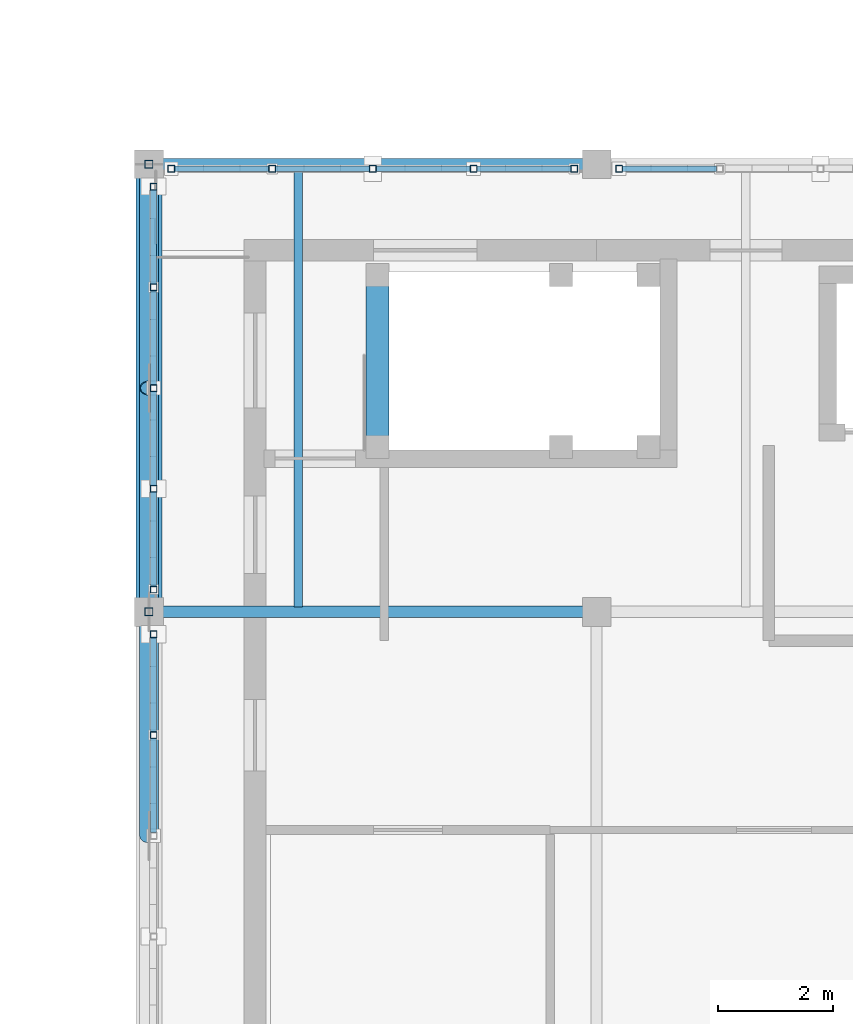
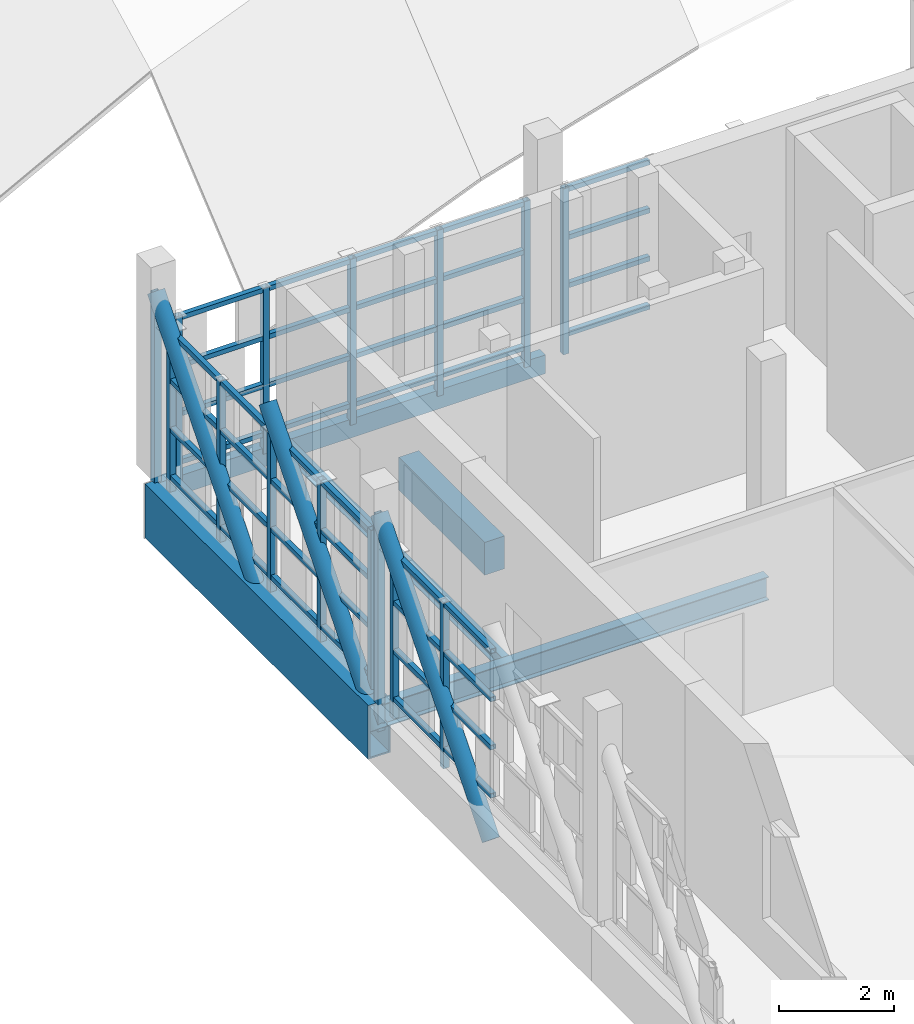
# One storey, part 21 of 89: 62 members, 5 beams.
"""IFC4 building model written with IfcOpenShell, lengths in metres."""

import ifcopenshell
import ifcopenshell.guid

model = None  # the IFC model being written
_history = None  # IfcOwnerHistory: only IFC2X3 demands one
_inside = {}  # id of a spatial element -> (the spatial element, [elements in it])
_under = {}  # id of a project, library or spatial element -> (it, [spatial elements below it])
_declared = {}  # id of a project -> (the project, [libraries it declares])
_typed = {}  # id of a type object -> (the type object, [elements of that type])
_made_of = {}  # id of a material, layer set ... -> (it, [elements and type objects made of it])


def new_model(schema):
    """Start an empty IFC model of exactly this schema.

    Asked for "IFC4X3", IfcOpenShell would pick the latest addendum, in which some entities
    have other attributes; the version numbers below select the first issue.
    IFC2X3 requires an IfcOwnerHistory on every rooted entity: one is made here for all.
    """
    global model, _history
    if schema == "IFC4X3":
        model = ifcopenshell.file(schema_version=(4, 3, 0, 0))
    else:
        model = ifcopenshell.file(schema=schema)
    _inside.clear()
    _under.clear()
    _declared.clear()
    _typed.clear()
    _made_of.clear()
    _history = None
    if model.schema == "IFC2X3":
        org = make("IfcOrganization", Name="unknown")
        user = make(
            "IfcPersonAndOrganization",
            ThePerson=make("IfcPerson", FamilyName="unknown"),
            TheOrganization=org,
        )
        app = make(
            "IfcApplication",
            ApplicationDeveloper=org,
            Version="unknown",
            ApplicationFullName="unknown",
            ApplicationIdentifier="unknown",
        )
        _history = make(
            "IfcOwnerHistory",
            OwningUser=user,
            OwningApplication=app,
            ChangeAction="ADDED",
            CreationDate=0,
        )
    return model


def make(cls, **values):
    """One entity of the class cls with the attributes given. An attribute that is None is left unset."""
    return model.create_entity(
        cls, **{name: value for name, value in values.items() if value is not None}
    )


def rooted(cls, **values):
    """An entity with a GlobalId (a new one), such as an element, a storey or a relation."""
    return make(cls, GlobalId=ifcopenshell.guid.new(), OwnerHistory=_history, **values)


def si_unit(unit_type, name, prefix=None):
    """IfcSIUnit, for example si_unit("LENGTHUNIT", "METRE", prefix="MILLI")."""
    return make("IfcSIUnit", UnitType=unit_type, Prefix=prefix, Name=name)


def assignment(units):
    """IfcUnitAssignment: the units of a project."""
    return None if units is None else make("IfcUnitAssignment", Units=units)


def point(xyz):
    """IfcCartesianPoint."""
    return None if xyz is None else make("IfcCartesianPoint", Coordinates=xyz)


def direction(xyz):
    """IfcDirection."""
    return None if xyz is None else make("IfcDirection", DirectionRatios=xyz)


def frame(location, z_axis=None, x_axis=None):
    """IfcAxis2Placement3D, a coordinate frame: its origin and axes. An axis left out is left unset."""
    return make(
        "IfcAxis2Placement3D",
        Location=point(location),
        Axis=direction(z_axis),
        RefDirection=direction(x_axis),
    )


def frame_2d(location, x_axis=None):
    """IfcAxis2Placement2D, a coordinate frame in the plane: its origin and x axis."""
    return make(
        "IfcAxis2Placement2D", Location=point(location), RefDirection=direction(x_axis)
    )


def origin():
    """The frame at (0, 0, 0) with its axes left unset."""
    return frame((0.0, 0.0, 0.0))


def origin_2d():
    """The frame at (0, 0) in the plane with its x axis left unset."""
    return frame_2d((0.0, 0.0))


def place(relative_to, where):
    """IfcLocalPlacement: puts the frame where relative to a parent placement (None: the world)."""
    return make(
        "IfcLocalPlacement", PlacementRelTo=relative_to, RelativePlacement=where
    )


def context(
    kind, dimensions, precision=None, world=None, true_north=None, identifier=None
):
    """IfcGeometricRepresentationContext, for example the 3D "Model" context."""
    return make(
        "IfcGeometricRepresentationContext",
        ContextIdentifier=identifier,
        ContextType=kind,
        CoordinateSpaceDimension=dimensions,
        Precision=precision,
        WorldCoordinateSystem=world,
        TrueNorth=true_north,
    )


def subcontext(parent, identifier, kind, view, scale=None):
    """IfcGeometricRepresentationSubContext, for example "Body" below "Model"."""
    return make(
        "IfcGeometricRepresentationSubContext",
        ContextIdentifier=identifier,
        ContextType=kind,
        ParentContext=parent,
        TargetScale=scale,
        TargetView=view,
    )


def project(units=None, contexts=None):
    """IfcProject with its units and contexts."""
    return rooted(
        "IfcProject",
        Name="project",
        RepresentationContexts=contexts,
        UnitsInContext=assignment(units),
    )


def spatial(cls, under=None, at=None, **own):
    """A site, building, storey or space (cls), placed at a placement, below another one or the project."""
    s = rooted(cls, ObjectPlacement=at, **own)
    if under is not None:
        _under.setdefault(under.id(), (under, []))[1].append(s)
    return s


def profile(cls, at=None, kind="AREA", **sizes):
    """A parametric profile (cls). Its sizes go by their IFC names, for example OverallWidth=200.0."""
    return make(cls, ProfileType=kind, Position=at, **sizes)


def rectangle(**sizes):
    """IfcRectangleProfileDef."""
    return profile("IfcRectangleProfileDef", **sizes)


def hollow_rectangle(**sizes):
    """IfcRectangleHollowProfileDef."""
    return profile("IfcRectangleHollowProfileDef", **sizes)


def hollow_circle(**sizes):
    """IfcCircleHollowProfileDef."""
    return profile("IfcCircleHollowProfileDef", **sizes)


def i_section(**sizes):
    """IfcIShapeProfileDef."""
    return profile("IfcIShapeProfileDef", **sizes)


def extrude(swept, where, along, depth):
    """IfcExtrudedAreaSolid: the profile swept, set in the frame where, extruded along a direction by depth."""
    return make(
        "IfcExtrudedAreaSolid",
        SweptArea=swept,
        Position=where,
        ExtrudedDirection=direction(along),
        Depth=depth,
    )


def shape(context_of_items, identifier, shape_type, items):
    """IfcShapeRepresentation: the items that make up one representation, for example the "Body"."""
    return make(
        "IfcShapeRepresentation",
        ContextOfItems=context_of_items,
        RepresentationIdentifier=identifier,
        RepresentationType=shape_type,
        Items=items,
    )


def material(Name=None, Category=None):
    """IfcMaterial."""
    return make("IfcMaterial", Name=Name, Category=Category)


def material_profile(
    of_material, cross_section, Name=None, Category=None, Priority=None
):
    """IfcMaterialProfile: a cross section and its material."""
    return make(
        "IfcMaterialProfile",
        Name=Name,
        Material=of_material,
        Profile=cross_section,
        Priority=Priority,
        Category=Category,
    )


def profile_set(profiles, Name=None, composite=None):
    """IfcMaterialProfileSet."""
    return make(
        "IfcMaterialProfileSet",
        Name=Name,
        MaterialProfiles=profiles,
        CompositeProfile=composite,
    )


def made_of(thing, what):
    """Note that an element or type object is made of a material, layer set ...; save() writes the relation."""
    if what is not None:
        _made_of.setdefault(what.id(), (what, []))[1].append(thing)
    return thing


def type_object(cls, material=None, **own):
    """A type object (cls), such as IfcWallType, which elements share."""
    return made_of(rooted(cls, **own), material)


def element(
    cls,
    number,
    at=None,
    inside=None,
    cuts=None,
    type_object=None,
    material=None,
    context=None,
    identifier="Body",
    shape_type=None,
    held_by="IfcProductDefinitionShape",
    body=None,
    shapes=None,
    **own,
):
    """One element of the class cls, such as IfcWall. Its Tag is "e" and its number.

    at: its placement. inside: the storey or other place that contains it. cuts: it is an
    opening in that element (IfcRelVoidsElement). A single representation is given by context,
    identifier, shape_type and body (its items); several are given by shapes. held_by: the class
    of the entity that holds the representations. save() writes the other relations.
    """
    e = rooted(cls, Tag="e%d" % number, ObjectPlacement=at, **own)
    if body is not None:
        shapes = [shape(context, identifier, shape_type, body)]
    if shapes is not None:
        e.Representation = make(held_by, Representations=shapes)
    if inside is not None:
        _inside.setdefault(inside.id(), (inside, []))[1].append(e)
    if cuts is not None:
        rooted(
            "IfcRelVoidsElement", RelatingBuildingElement=cuts, RelatedOpeningElement=e
        )
    if type_object is not None:
        _typed.setdefault(type_object.id(), (type_object, []))[1].append(e)
    return made_of(e, material)


def aggregate(whole, parts):
    """IfcRelAggregates: a whole, such as a stair, and the parts it consists of."""
    return rooted("IfcRelAggregates", RelatingObject=whole, RelatedObjects=parts)


def save(model, path):
    """Write the relations noted so far, then the file.

    IfcRelAggregates (storeys below a building ...), IfcRelContainedInSpatialStructure (elements
    in a storey), IfcRelDefinesByType, IfcRelAssociatesMaterial and IfcRelDeclares: one each for
    every whole, place, type object, material and project.
    """
    for whole, parts in _under.values():
        aggregate(whole, parts)
    for where, things in _inside.values():
        rooted(
            "IfcRelContainedInSpatialStructure",
            RelatedElements=things,
            RelatingStructure=where,
        )
    for kind, things in _typed.values():
        rooted("IfcRelDefinesByType", RelatedObjects=things, RelatingType=kind)
    for what, things in _made_of.values():
        rooted("IfcRelAssociatesMaterial", RelatedObjects=things, RelatingMaterial=what)
    for by, libraries in _declared.values():
        rooted("IfcRelDeclares", RelatingContext=by, RelatedDefinitions=libraries)
    model.write(path)


model = new_model("IFC4")

# Units and contexts
model_context = context("Model", 3, precision=1e-05, world=origin(), true_north=direction((0.0, 1.0)))
body_context = subcontext(model_context, "Body", "Model", "MODEL_VIEW")
ifc_project = project(units=[si_unit("LENGTHUNIT", "METRE"), si_unit("AREAUNIT", "SQUARE_METRE"), si_unit("VOLUMEUNIT", "CUBIC_METRE"), si_unit("PLANEANGLEUNIT", "RADIAN"), si_unit("MASSUNIT", "GRAM", prefix="KILO")], contexts=[model_context])

# Site, building, storey
site_placement = place(None, origin())
site = spatial("IfcSite", under=ifc_project, at=site_placement, CompositionType="ELEMENT")
building_placement = place(site_placement, origin())
building = spatial("IfcBuilding", under=site, at=building_placement, Name="Celorna Specialist Clinic", CompositionType="ELEMENT")
storey_placement = place(building_placement, frame((0.0, 0.0, 14.10009765625)))
storey = spatial("IfcBuildingStorey", under=building, at=storey_placement, Name="L03", CompositionType="ELEMENT", Elevation=14.10009765625)

# Beams
ifc_material_1 = material(Name="Steel S355", Category="steel")
ifc_material_profile_1 = material_profile(ifc_material_1, hollow_rectangle(XDim=0.449951171875, YDim=1.14990234375, WallThickness=0.031982421875, at=origin_2d()), Name="BOX 450x1150x32")
ifc_profile_set_1 = profile_set([ifc_material_profile_1], Name="Steel S355")
beam_type_1 = type_object("IfcBeamType", Name="BM-01", PredefinedType="BEAM", material=ifc_profile_set_1)
beam_1_placement = place(storey_placement, frame((54.60009765625, 35.10009765625, -0.835205078125), z_axis=(0.0, 1.0, 0.0), x_axis=(-1.0, 0.0, 0.0)))
element("IfcBeam", 1, at=beam_1_placement, inside=storey, type_object=beam_type_1, Name="Cantilever Pratt truss chord WP-009-WP-010", PredefinedType="BEAM", context=body_context, shape_type="SweptSolid", body=[
    extrude(hollow_rectangle(XDim=0.449951171875, YDim=1.14990234375, WallThickness=0.031982421875, at=origin_2d()), origin(), (0.0, 0.0, 1.0), 7.7998046875),
])
ifc_material_profile_2 = material_profile(ifc_material_1, i_section(OverallWidth=0.199951171875, OverallDepth=0.5, WebThickness=0.01025390625, FlangeThickness=0.01611328125, at=origin_2d()), Name="IPE 500")
ifc_profile_set_2 = profile_set([ifc_material_profile_2], Name="Steel S355")
beam_type_2 = type_object("IfcBeamType", Name="BM-08", PredefinedType="BEAM", material=ifc_profile_set_2)
beam_2_placement = place(storey_placement, frame((54.60009765625, 35.10009765625, -0.510009765625), z_axis=(1.0, 0.0, 0.0), x_axis=(0.0, 1.0, 0.0)))
element("IfcBeam", 2, at=beam_2_placement, inside=storey, type_object=beam_type_2, Name="Primary girder BM-08 #2166", PredefinedType="BEAM", context=body_context, shape_type="SweptSolid", body=[
    extrude(i_section(OverallWidth=0.199951171875, OverallDepth=0.5, WebThickness=0.01025390625, FlangeThickness=0.01611328125, at=origin_2d()), origin(), (0.0, 0.0, 1.0), 7.7998046875),
])
ifc_material_profile_3 = material_profile(ifc_material_1, i_section(OverallWidth=0.14990234375, OverallDepth=0.300048828125, WebThickness=0.007080078125, FlangeThickness=0.0107421875, at=origin_2d()), Name="IPE 300")
ifc_profile_set_3 = profile_set([ifc_material_profile_3], Name="Steel S355")
beam_type_3 = type_object("IfcBeamType", Name="BM-13", PredefinedType="JOIST", material=ifc_profile_set_3)
beam_3_placement = place(storey_placement, frame((57.199951171875, 35.18798828125, -0.41015625), z_axis=(0.0, 1.0, 0.0), x_axis=(-1.0, 0.0, 0.0)))
element("IfcBeam", 3, at=beam_3_placement, inside=storey, type_object=beam_type_3, Name="Secondary floor joist BM-13 #2184", PredefinedType="JOIST", context=body_context, shape_type="SweptSolid", body=[
    extrude(i_section(OverallWidth=0.14990234375, OverallDepth=0.300048828125, WebThickness=0.007080078125, FlangeThickness=0.0107421875, at=origin_2d()), origin(), (0.0, 0.0, 1.0), 7.6240234375),
])
ifc_material_profile_4 = material_profile(ifc_material_1, hollow_rectangle(XDim=0.199951171875, YDim=0.39990234375, WallThickness=0.011962890625, at=origin_2d()), Name="RHS 200x400x12")
ifc_profile_set_4 = profile_set([ifc_material_profile_4], Name="Steel S355")
beam_type_4 = type_object("IfcBeamType", Name="BM-15", PredefinedType="SPANDREL", material=ifc_profile_set_4)
beam_4_placement = place(storey_placement, frame((54.60009765625, 42.89990234375, -0.460205078125), z_axis=(1.0, 0.0, 0.0), x_axis=(0.0, 1.0, 0.0)))
element("IfcBeam", 4, at=beam_4_placement, inside=storey, type_object=beam_type_4, Name="Spandrel beam BM-15 #2170", PredefinedType="SPANDREL", context=body_context, shape_type="SweptSolid", body=[
    extrude(hollow_rectangle(XDim=0.199951171875, YDim=0.39990234375, WallThickness=0.011962890625, at=origin_2d()), origin(), (0.0, 0.0, 1.0), 7.7998046875),
])
ifc_material_2 = material(Name="Concrete C35/45", Category="concrete")
ifc_material_profile_5 = material_profile(ifc_material_2, rectangle(XDim=0.39990234375, YDim=0.699951171875, at=origin_2d()), Name="RC 400x700")
ifc_profile_set_5 = profile_set([ifc_material_profile_5], Name="Concrete C35/45")
beam_type_5 = type_object("IfcBeamType", Name="BM-19", PredefinedType="BEAM", material=ifc_profile_set_5)
beam_5_placement = place(storey_placement, frame((58.580078125, 37.969970703125, -0.275146484375), z_axis=(0.0, 1.0, 0.0), x_axis=(-1.0, 0.0, 0.0)))
element("IfcBeam", 5, at=beam_5_placement, inside=storey, type_object=beam_type_5, Name="Stair ST-08 floor landing trimmer beam L03", PredefinedType="BEAM", context=body_context, shape_type="SweptSolid", body=[
    extrude(rectangle(XDim=0.39990234375, YDim=0.699951171875, at=origin_2d()), origin(), (0.0, 0.0, 1.0), 3.0),
])

# Members
ifc_material_profile_6 = material_profile(ifc_material_1, hollow_circle(Radius=0.161865234375, WallThickness=0.01611328125, at=origin_2d()), Name="CHS 323.9x16")
ifc_profile_set_6 = profile_set([ifc_material_profile_6], Name="Steel S355")
member_type_1 = type_object("IfcMemberType", Name="MB-05", PredefinedType="BRACE", material=ifc_profile_set_6)
member_placement = place(storey_placement, frame((54.60009765625, 31.199951171875, -0.835205078125), z_axis=(0.0, 0.646691395625, 0.762751754389), x_axis=(-1.0, 0.0, 0.0)))
element("IfcMember", 6, at=member_placement, inside=storey, type_object=member_type_1, Name="Cantilever Pratt truss web diagonal WP-024-WP-014", PredefinedType="BRACE", context=body_context, shape_type="SweptSolid", body=[
    extrude(hollow_circle(Radius=0.161865234375, WallThickness=0.01611328125, at=origin_2d()), origin(), (0.0, 0.0, 1.0), 6.031005859375),
])
for number, where, z_axis, x_axis, name in (
    (7, (54.60009765625, 35.10009765625, -0.835205078125), (0.0, 0.64666784298, 0.762771722638), (-1.0, 0.0, 0.0), "Cantilever Pratt truss web diagonal WP-009-WP-033"),
    (8, (54.60009765625, 39.0, -0.835205078125), (0.0, 0.64666784298, 0.762771722638), (-1.0, 0.0, 0.0), "Cantilever Pratt truss web diagonal WP-026-WP-015"),
):
    element("IfcMember", number, at=place(storey_placement, frame(where, z_axis=z_axis, x_axis=x_axis)), inside=storey, type_object=member_type_1, Name=name, PredefinedType="BRACE", context=body_context, shape_type="SweptSolid", body=[
        extrude(hollow_circle(Radius=0.161865234375, WallThickness=0.01611328125, at=origin_2d()), origin(), (0.0, 0.0, 1.0), 6.03076171875),
    ])
ifc_material_profile_7 = material_profile(ifc_material_1, hollow_rectangle(XDim=0.139892578125, YDim=0.139892578125, WallThickness=0.008056640625, at=origin_2d()), Name="SHS 140x140x8")
ifc_profile_set_7 = profile_set([ifc_material_profile_7], Name="Steel S355")
member_type_2 = type_object("IfcMemberType", Name="MB-10", PredefinedType="CHORD", material=ifc_profile_set_7)
for number, where, z_axis, x_axis, name in (
    (9, (54.60009765625, 35.10009765625, -0.835205078125), (0.0, 0.0, 1.0), (1.0, 0.0, 0.0), "Cantilever Pratt truss vertical post WP-009-WP-014"),
    (10, (54.60009765625, 42.89990234375, -0.835205078125), (0.0, 0.0, 1.0), (1.0, 0.0, 0.0), "Cantilever Pratt truss vertical post WP-010-WP-015"),
):
    element("IfcMember", number, at=place(storey_placement, frame(where, z_axis=z_axis, x_axis=x_axis)), inside=storey, type_object=member_type_2, Name=name, PredefinedType="CHORD", context=body_context, shape_type="SweptSolid", body=[
        extrude(hollow_rectangle(XDim=0.139892578125, YDim=0.139892578125, WallThickness=0.008056640625, at=origin_2d()), origin(), (0.0, 0.0, 1.0), 4.60009765625),
    ])
ifc_material_profile_8 = material_profile(ifc_material_1, hollow_rectangle(XDim=0.1201171875, YDim=0.1201171875, WallThickness=0.008056640625, at=origin_2d()), Name="SHS 120x120x8")
ifc_profile_set_8 = profile_set([ifc_material_profile_8], Name="Steel S355")
member_type_3 = type_object("IfcMemberType", Name="MB-11", PredefinedType="STUD", material=ifc_profile_set_8)
for number, where, z_axis, x_axis, name in (
    (11, (54.679931640625, 32.955078125, -0.360107421875), (0.0, 0.0, 1.0), (1.0, 0.0, 0.0), "Perforated screen steel post #312"),
    (12, (54.679931640625, 34.7099609375, -0.360107421875), (0.0, 0.0, 1.0), (1.0, 0.0, 0.0), "Perforated screen steel post #313"),
    (13, (54.679931640625, 35.489990234375, -0.360107421875), (0.0, 0.0, 1.0), (1.0, 0.0, 0.0), "Perforated screen steel post #330"),
    (14, (54.679931640625, 37.2451171875, -0.360107421875), (0.0, 0.0, 1.0), (1.0, 0.0, 0.0), "Perforated screen steel post #331"),
    (15, (54.679931640625, 39.0, -0.360107421875), (0.0, 0.0, 1.0), (1.0, 0.0, 0.0), "Perforated screen steel post #332"),
    (16, (54.679931640625, 40.7548828125, -0.360107421875), (0.0, 0.0, 1.0), (1.0, 0.0, 0.0), "Perforated screen steel post #333"),
    (17, (54.679931640625, 42.510009765625, -0.360107421875), (0.0, 0.0, 1.0), (1.0, 0.0, 0.0), "Perforated screen steel post #334"),
    (18, (54.989990234375, 42.820068359375, -0.360107421875), (0.0, 0.0, 1.0), (1.0, 0.0, 0.0), "Perforated screen steel post #623"),
    (19, (56.7451171875, 42.820068359375, -0.360107421875), (0.0, 0.0, 1.0), (1.0, 0.0, 0.0), "Perforated screen steel post #624"),
    (20, (58.5, 42.820068359375, -0.360107421875), (0.0, 0.0, 1.0), (1.0, 0.0, 0.0), "Perforated screen steel post #625"),
    (21, (60.2548828125, 42.820068359375, -0.360107421875), (0.0, 0.0, 1.0), (1.0, 0.0, 0.0), "Perforated screen steel post #626"),
    (22, (62.010009765625, 42.820068359375, -0.360107421875), (0.0, 0.0, 1.0), (1.0, 0.0, 0.0), "Perforated screen steel post #627"),
    (23, (62.7900390625, 42.820068359375, -0.360107421875), (0.0, 0.0, 1.0), (1.0, 0.0, 0.0), "Perforated screen steel post #644"),
):
    element("IfcMember", number, at=place(storey_placement, frame(where, z_axis=z_axis, x_axis=x_axis)), inside=storey, type_object=member_type_3, Name=name, PredefinedType="STUD", context=body_context, shape_type="SweptSolid", body=[
        extrude(hollow_rectangle(XDim=0.1201171875, YDim=0.1201171875, WallThickness=0.008056640625, at=origin_2d()), origin(), (0.0, 0.0, 1.0), 3.5400390625),
    ])
ifc_material_profile_9 = material_profile(ifc_material_1, hollow_rectangle(XDim=0.10009765625, YDim=0.10009765625, WallThickness=0.006103515625, at=origin_2d()), Name="SHS 100x100x6")
ifc_profile_set_9 = profile_set([ifc_material_profile_9], Name="Steel S355")
member_type_4 = type_object("IfcMemberType", Name="MB-12", PredefinedType="STUD", material=ifc_profile_set_9)
for number, where, z_axis, x_axis, name in (
    (24, (54.679931640625, 31.260009765625, 0.0498046875), (0.0, 1.0, 0.0), (-1.0, 0.0, 0.0), "Perforated screen rail #322"),
    (25, (54.679931640625, 31.260009765625, 1.07666015625), (0.0, 1.0, 0.0), (-1.0, 0.0, 0.0), "Perforated screen rail #323"),
    (26, (54.679931640625, 31.260009765625, 2.103271484375), (0.0, 1.0, 0.0), (-1.0, 0.0, 0.0), "Perforated screen rail #324"),
    (27, (54.679931640625, 31.260009765625, 3.1298828125), (0.0, 1.0, 0.0), (-1.0, 0.0, 0.0), "Perforated screen rail #325"),
    (28, (54.679931640625, 33.014892578125, 0.0498046875), (0.0, 1.0, 0.0), (-1.0, 0.0, 0.0), "Perforated screen rail #326"),
    (29, (54.679931640625, 33.014892578125, 1.07666015625), (0.0, 1.0, 0.0), (-1.0, 0.0, 0.0), "Perforated screen rail #327"),
    (30, (54.679931640625, 33.014892578125, 2.103271484375), (0.0, 1.0, 0.0), (-1.0, 0.0, 0.0), "Perforated screen rail #328"),
    (31, (54.679931640625, 33.014892578125, 3.1298828125), (0.0, 1.0, 0.0), (-1.0, 0.0, 0.0), "Perforated screen rail #329"),
    (32, (54.679931640625, 35.550048828125, 0.0498046875), (0.0, 1.0, 0.0), (-1.0, 0.0, 0.0), "Perforated screen rail #335"),
    (33, (54.679931640625, 35.550048828125, 1.07666015625), (0.0, 1.0, 0.0), (-1.0, 0.0, 0.0), "Perforated screen rail #336"),
    (34, (54.679931640625, 35.550048828125, 2.103271484375), (0.0, 1.0, 0.0), (-1.0, 0.0, 0.0), "Perforated screen rail #337"),
    (35, (54.679931640625, 35.550048828125, 3.1298828125), (0.0, 1.0, 0.0), (-1.0, 0.0, 0.0), "Perforated screen rail #338"),
    (36, (54.679931640625, 37.304931640625, 0.0498046875), (0.0, 1.0, 0.0), (-1.0, 0.0, 0.0), "Perforated screen rail #339"),
    (37, (54.679931640625, 37.304931640625, 1.07666015625), (0.0, 1.0, 0.0), (-1.0, 0.0, 0.0), "Perforated screen rail #340"),
    (38, (54.679931640625, 37.304931640625, 2.103271484375), (0.0, 1.0, 0.0), (-1.0, 0.0, 0.0), "Perforated screen rail #341"),
    (39, (54.679931640625, 37.304931640625, 3.1298828125), (0.0, 1.0, 0.0), (-1.0, 0.0, 0.0), "Perforated screen rail #342"),
    (40, (54.679931640625, 39.06005859375, 0.0498046875), (0.0, 1.0, 0.0), (-1.0, 0.0, 0.0), "Perforated screen rail #343"),
    (41, (54.679931640625, 39.06005859375, 1.07666015625), (0.0, 1.0, 0.0), (-1.0, 0.0, 0.0), "Perforated screen rail #344"),
    (42, (54.679931640625, 39.06005859375, 2.103271484375), (0.0, 1.0, 0.0), (-1.0, 0.0, 0.0), "Perforated screen rail #345"),
    (43, (54.679931640625, 39.06005859375, 3.1298828125), (0.0, 1.0, 0.0), (-1.0, 0.0, 0.0), "Perforated screen rail #346"),
    (44, (54.679931640625, 40.81494140625, 0.0498046875), (0.0, 1.0, 0.0), (-1.0, 0.0, 0.0), "Perforated screen rail #347"),
    (45, (54.679931640625, 40.81494140625, 1.07666015625), (0.0, 1.0, 0.0), (-1.0, 0.0, 0.0), "Perforated screen rail #348"),
    (46, (54.679931640625, 40.81494140625, 2.103271484375), (0.0, 1.0, 0.0), (-1.0, 0.0, 0.0), "Perforated screen rail #349"),
    (47, (54.679931640625, 40.81494140625, 3.1298828125), (0.0, 1.0, 0.0), (-1.0, 0.0, 0.0), "Perforated screen rail #350"),
    (48, (55.050048828125, 42.820068359375, 0.0498046875), (1.0, 0.0, 0.0), (0.0, 1.0, 0.0), "Perforated screen rail #628"),
    (49, (55.050048828125, 42.820068359375, 1.07666015625), (1.0, 0.0, 0.0), (0.0, 1.0, 0.0), "Perforated screen rail #629"),
    (50, (55.050048828125, 42.820068359375, 2.103271484375), (1.0, 0.0, 0.0), (0.0, 1.0, 0.0), "Perforated screen rail #630"),
    (51, (55.050048828125, 42.820068359375, 3.1298828125), (1.0, 0.0, 0.0), (0.0, 1.0, 0.0), "Perforated screen rail #631"),
    (52, (56.804931640625, 42.820068359375, 0.0498046875), (1.0, 0.0, 0.0), (0.0, 1.0, 0.0), "Perforated screen rail #632"),
    (53, (56.804931640625, 42.820068359375, 1.07666015625), (1.0, 0.0, 0.0), (0.0, 1.0, 0.0), "Perforated screen rail #633"),
    (54, (56.804931640625, 42.820068359375, 2.103271484375), (1.0, 0.0, 0.0), (0.0, 1.0, 0.0), "Perforated screen rail #634"),
    (55, (56.804931640625, 42.820068359375, 3.1298828125), (1.0, 0.0, 0.0), (0.0, 1.0, 0.0), "Perforated screen rail #635"),
    (56, (58.56005859375, 42.820068359375, 0.0498046875), (1.0, 0.0, 0.0), (0.0, 1.0, 0.0), "Perforated screen rail #636"),
    (57, (58.56005859375, 42.820068359375, 1.07666015625), (1.0, 0.0, 0.0), (0.0, 1.0, 0.0), "Perforated screen rail #637"),
    (58, (58.56005859375, 42.820068359375, 2.103271484375), (1.0, 0.0, 0.0), (0.0, 1.0, 0.0), "Perforated screen rail #638"),
    (59, (58.56005859375, 42.820068359375, 3.1298828125), (1.0, 0.0, 0.0), (0.0, 1.0, 0.0), "Perforated screen rail #639"),
    (60, (60.31494140625, 42.820068359375, 0.0498046875), (1.0, 0.0, 0.0), (0.0, 1.0, 0.0), "Perforated screen rail #640"),
    (61, (60.31494140625, 42.820068359375, 1.07666015625), (1.0, 0.0, 0.0), (0.0, 1.0, 0.0), "Perforated screen rail #641"),
    (62, (60.31494140625, 42.820068359375, 2.103271484375), (1.0, 0.0, 0.0), (0.0, 1.0, 0.0), "Perforated screen rail #642"),
    (63, (60.31494140625, 42.820068359375, 3.1298828125), (1.0, 0.0, 0.0), (0.0, 1.0, 0.0), "Perforated screen rail #643"),
    (64, (62.85009765625, 42.820068359375, 0.0498046875), (1.0, 0.0, 0.0), (0.0, 1.0, 0.0), "Perforated screen rail #649"),
    (65, (62.85009765625, 42.820068359375, 1.07666015625), (1.0, 0.0, 0.0), (0.0, 1.0, 0.0), "Perforated screen rail #650"),
    (66, (62.85009765625, 42.820068359375, 2.103271484375), (1.0, 0.0, 0.0), (0.0, 1.0, 0.0), "Perforated screen rail #651"),
    (67, (62.85009765625, 42.820068359375, 3.1298828125), (1.0, 0.0, 0.0), (0.0, 1.0, 0.0), "Perforated screen rail #652"),
):
    element("IfcMember", number, at=place(storey_placement, frame(where, z_axis=z_axis, x_axis=x_axis)), inside=storey, type_object=member_type_4, Name=name, PredefinedType="STUD", context=body_context, shape_type="SweptSolid", body=[
        extrude(hollow_rectangle(XDim=0.10009765625, YDim=0.10009765625, WallThickness=0.006103515625, at=origin_2d()), origin(), (0.0, 0.0, 1.0), 1.635009765625),
    ])

save(model, "model.ifc")
